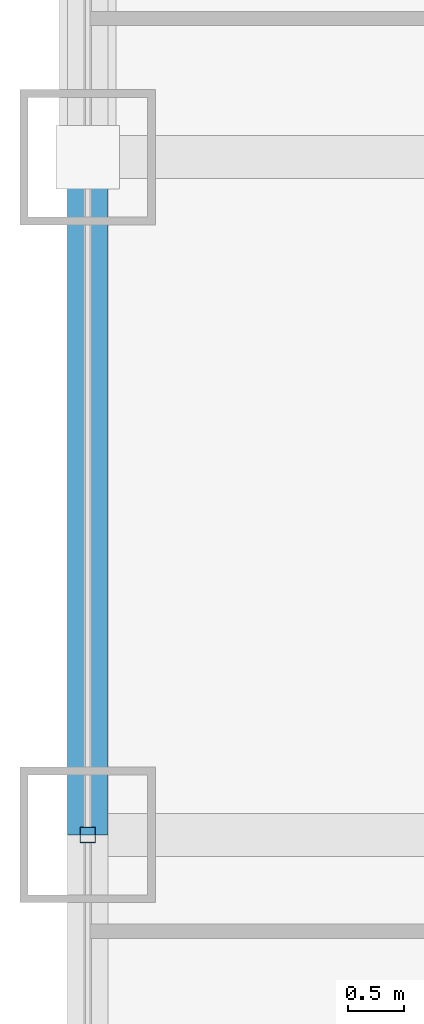
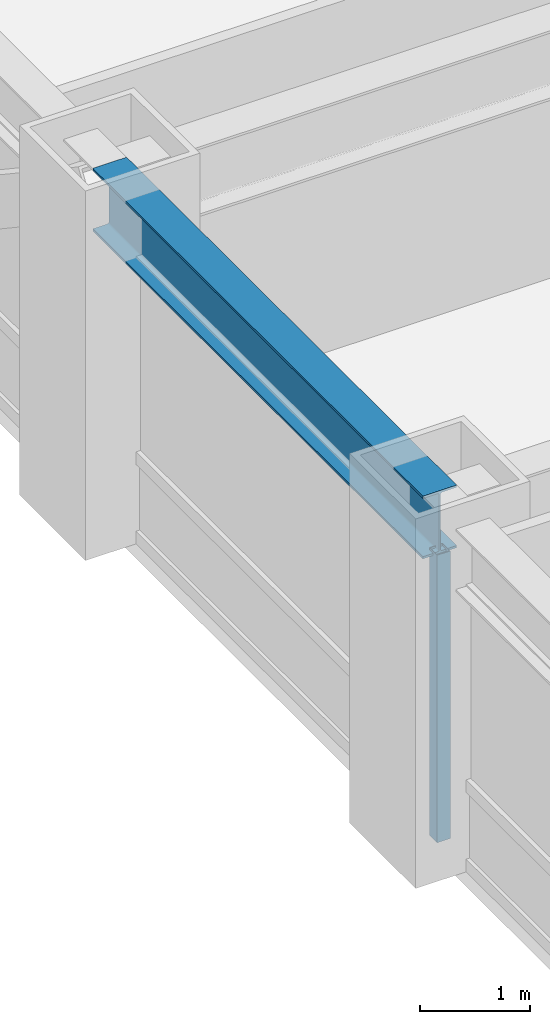
# One storey, part 8 of 32: 1 beam, 1 member, 1 element without a shape of its own.
"""IFC4 building model written with IfcOpenShell, lengths in metres."""

from ifc_helpers import new_model, si_unit, direction, frame, origin, origin_2d, place, context, subcontext, project, spatial, hollow_rectangle, i_section, extrude, source, transform, mapped, material, material_profile, profile_set, type_object, element, aggregate, save


model = new_model("IFC4")

# Units and contexts
model_context = context("Model", 3, precision=1e-05, world=origin(), true_north=direction((0.0, 1.0)))
body_context = subcontext(model_context, "Body", "Model", "MODEL_VIEW")
ifc_project = project(units=[si_unit("LENGTHUNIT", "METRE"), si_unit("AREAUNIT", "SQUARE_METRE"), si_unit("VOLUMEUNIT", "CUBIC_METRE"), si_unit("PLANEANGLEUNIT", "RADIAN"), si_unit("MASSUNIT", "GRAM", prefix="KILO")], contexts=[model_context])

# Site, building, storey
site_placement = place(None, origin())
site = spatial("IfcSite", under=ifc_project, at=site_placement, CompositionType="ELEMENT")
building_placement = place(site_placement, origin())
building = spatial("IfcBuilding", under=site, at=building_placement, Name="Khorayat Bourse Tower", CompositionType="ELEMENT")
storey_placement = place(building_placement, frame((0.0, 0.0, 99.60009765625)))
storey = spatial("IfcBuildingStorey", under=building, at=storey_placement, Name="L22", CompositionType="ELEMENT", Elevation=99.60009765625)

# Beam
ifc_material_1 = material(Name="Steel ASTM A992 Grade 50", Category="steel")
ifc_material_profile_1 = material_profile(ifc_material_1, i_section(OverallWidth=0.35498046875, OverallDepth=0.695068359375, WebThickness=0.015380859375, FlangeThickness=0.02490234375, FilletRadius=0.01806640625, at=origin_2d()), Name="W690X217")
ifc_profile_set_1 = profile_set([ifc_material_profile_1], Name="Steel ASTM A992 Grade 50")
beam_type = type_object("IfcBeamType", Name="BM-SPAN-690", PredefinedType="SPANDREL", material=ifc_profile_set_1)
shared_shape_1 = source(origin(), body_context, "Body", "SweptSolid", [
    extrude(i_section(OverallWidth=0.35498046875, OverallDepth=0.695068359375, WebThickness=0.015380859375, FlangeThickness=0.02490234375, FilletRadius=0.01806640625, at=origin_2d()), origin(), (0.0, 0.0, 1.0), 6.0),
])
beam_placement = place(storey_placement, frame((-32.0, 0.0, 3.492431640625), z_axis=(0.0, 1.0, 0.0), x_axis=(-1.0, 0.0, 0.0)))
element("IfcBeam", 1, at=beam_placement, inside=storey, type_object=beam_type, Name="L22 BM-SPAN-690 BM-L22-SPN-057", PredefinedType="SPANDREL", context=body_context, shape_type="MappedRepresentation", body=[
    mapped(shared_shape_1, transform((0.0, 0.0, 0.0), scale=1.0)),
])

# Curtain wall, member
ifc_material_2 = material(Name="Aluminium EN AW-6063 T6", Category="aluminium")
curtain_wall_type = type_object("IfcCurtainWallType", Name="CW-SYS-02", PredefinedType="NOTDEFINED", material=ifc_material_2)
curtain_wall_placement = place(storey_placement, origin())
curtain_wall = element("IfcCurtainWall", 2, at=curtain_wall_placement, inside=storey, type_object=curtain_wall_type, Name="L22 Curtain Wall CW-L22-W1", PredefinedType="NOTDEFINED")
ifc_material_profile_2 = material_profile(ifc_material_2, hollow_rectangle(XDim=0.139892578125, YDim=0.139892578125, WallThickness=0.006103515625, at=origin_2d()), Name="ALU 140x140x6")
ifc_profile_set_2 = profile_set([ifc_material_profile_2], Name="Aluminium EN AW-6063 T6")
member_type = type_object("IfcMemberType", Name="CWM-VERT-140", PredefinedType="MULLION", material=ifc_profile_set_2)
shared_shape_2 = source(origin(), body_context, "Body", "SweptSolid", [
    extrude(hollow_rectangle(XDim=0.139892578125, YDim=0.139892578125, WallThickness=0.006103515625, at=origin_2d()), origin(), (0.0, 0.0, 1.0), 3.18994140625),
])
member_placement = place(storey_placement, frame((-32.0, 0.0, 0.0), z_axis=(0.0, 0.0, 1.0), x_axis=(-1.0, 0.0, 0.0)))
member = element("IfcMember", 3, at=member_placement, type_object=member_type, Name="CW-L22-W1 Vertical Mullion 2", PredefinedType="MULLION", context=body_context, shape_type="MappedRepresentation", body=[
    mapped(shared_shape_2, transform((0.0, 0.0, 0.0), scale=1.0)),
])
aggregate(curtain_wall, [member])

save(model, "model.ifc")
